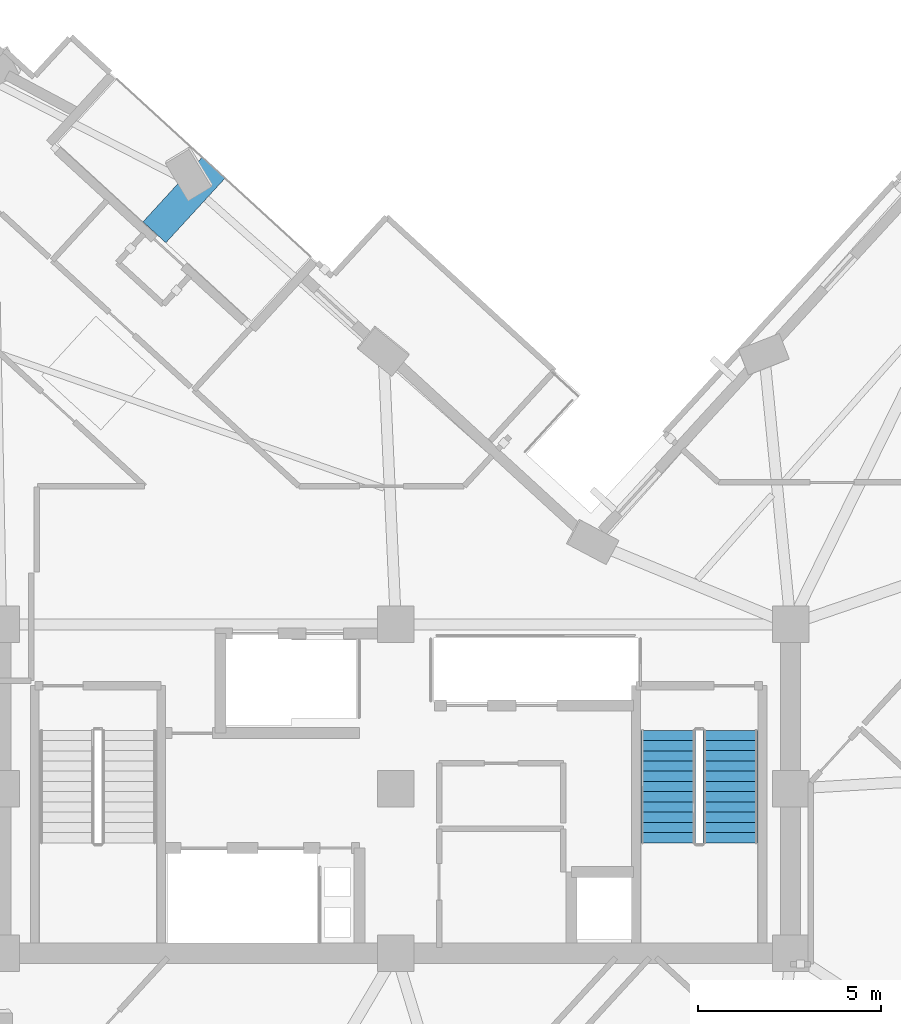
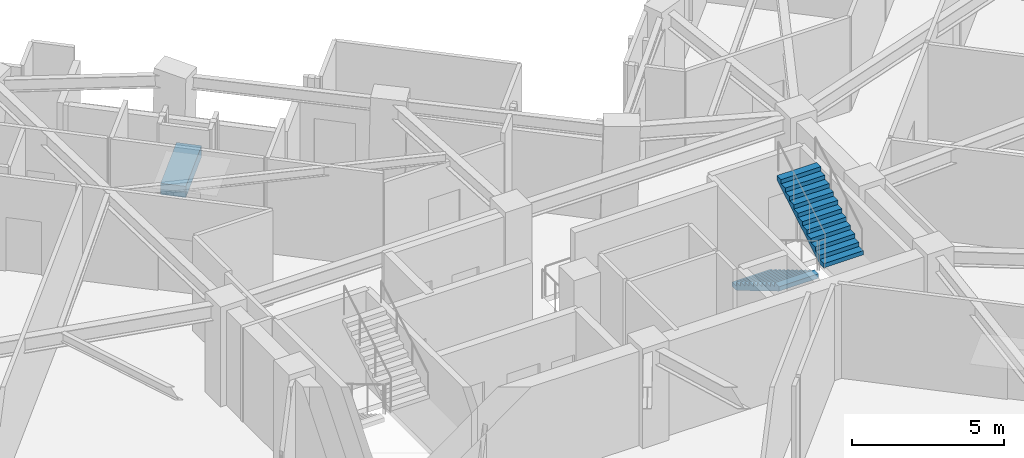
# One storey, part 8 of 12: 2 stair flights, 1 discrete accessory, 1 element without a shape of its own.
"""IFC4 building model written with IfcOpenShell, lengths in metres."""

from ifc_helpers import new_model, si_unit, direction, frame, origin, origin_2d, place, context, subcontext, project, spatial, polyline, rectangle, outline, extrude, material, type_object, element, aggregate, save


model = new_model("IFC4")

# Units and contexts
model_context = context("Model", 3, precision=1e-05, world=origin(), true_north=direction((0.0, 1.0)))
body_context = subcontext(model_context, "Body", "Model", "MODEL_VIEW")
ifc_project = project(units=[si_unit("LENGTHUNIT", "METRE"), si_unit("AREAUNIT", "SQUARE_METRE"), si_unit("VOLUMEUNIT", "CUBIC_METRE"), si_unit("PLANEANGLEUNIT", "RADIAN"), si_unit("MASSUNIT", "GRAM", prefix="KILO")], contexts=[model_context])

# Site, building, storey
site_placement = place(None, origin())
site = spatial("IfcSite", under=ifc_project, at=site_placement, CompositionType="ELEMENT")
building_placement = place(site_placement, origin())
building = spatial("IfcBuilding", under=site, at=building_placement, Name="Gaonmaruhae Medical Tower", CompositionType="ELEMENT")
storey_placement = place(building_placement, frame((0.0, 0.0, 227.199951171875)))
storey = spatial("IfcBuildingStorey", under=building, at=storey_placement, Name="L54", CompositionType="ELEMENT", Elevation=227.199951171875)

# Stair, stair flights
ifc_material_1 = material(Name="Concrete C40/50", Category="concrete")
stair_type = type_object("IfcStairType", Name="ST-T1 Primary Core Escape Dogleg Stair", PredefinedType="TWO_QUARTER_TURN_STAIR", material=ifc_material_1)
stair_placement = place(storey_placement, origin())
stair = element("IfcStair", 1, at=stair_placement, inside=storey, type_object=stair_type, Name="L54 Protected Escape Stair ST-02", PredefinedType="TWO_QUARTER_TURN_STAIR")
stair_flight_type = type_object("IfcStairFlightType", Name="SF-T1 Primary Core Precast Stair Flight", PredefinedType="STRAIGHT", material=ifc_material_1)
stair_flight_1_placement = place(storey_placement, frame((32.25, 13.89990234375, 0.0), z_axis=(0.0, 0.0, 1.0), x_axis=(0.0, -1.0, 0.0)))
stair_flight_1 = element("IfcStairFlight", 2, at=stair_flight_1_placement, type_object=stair_flight_type, Name="ST-02 flight 1", NumberOfRisers=12, NumberOfTreads=11, PredefinedType="STRAIGHT", RiserHeight=0.166666667, TreadLength=0.28, context=body_context, shape_type="SweptSolid", body=[
    extrude(outline(polyline([(0.0, 0.0), (0.0, 0.166748046875), (0.280029296875, 0.166748046875), (0.280029296875, 0.333251953125), (0.56005859375, 0.333251953125), (0.56005859375, 0.5), (0.840087890625, 0.5), (0.840087890625, 0.666748046875), (1.1201171875, 0.666748046875), (1.1201171875, 0.833251953125), (1.39990234375, 0.833251953125), (1.39990234375, 1.0), (1.679931640625, 1.0), (1.679931640625, 1.166748046875), (1.9599609375, 1.166748046875), (1.9599609375, 1.333251953125), (2.239990234375, 1.333251953125), (2.239990234375, 1.5), (2.52001953125, 1.5), (2.52001953125, 1.666748046875), (2.800048828125, 1.666748046875), (2.800048828125, 1.833251953125), (3.080078125, 1.833251953125), (3.080078125, 2.0), (3.080078125, 1.658935546875), (0.29296875, 0.0), (0.0, 0.0)])), frame((0.0, 0.75, 0.0), z_axis=(0.0, -1.0, 0.0), x_axis=(1.0, 0.0, 0.0)), (0.0, 0.0, 1.0), 1.5),
])
stair_flight_2_placement = place(storey_placement, frame((33.949951171875, 10.820068359375, 2.0), z_axis=(0.0, 0.0, 1.0), x_axis=(0.0, 1.0, 0.0)))
stair_flight_2 = element("IfcStairFlight", 3, at=stair_flight_2_placement, type_object=stair_flight_type, Name="ST-02 flight 2", NumberOfRisers=12, NumberOfTreads=11, PredefinedType="STRAIGHT", RiserHeight=0.166666667, TreadLength=0.28, context=body_context, shape_type="SweptSolid", body=[
    extrude(outline(polyline([(0.0, 0.0), (0.0, 0.166748046875), (0.280029296875, 0.166748046875), (0.280029296875, 0.333251953125), (0.56005859375, 0.333251953125), (0.56005859375, 0.5), (0.840087890625, 0.5), (0.840087890625, 0.666748046875), (1.1201171875, 0.666748046875), (1.1201171875, 0.833251953125), (1.39990234375, 0.833251953125), (1.39990234375, 1.0), (1.679931640625, 1.0), (1.679931640625, 1.166748046875), (1.9599609375, 1.166748046875), (1.9599609375, 1.333251953125), (2.239990234375, 1.333251953125), (2.239990234375, 1.5), (2.52001953125, 1.5), (2.52001953125, 1.666748046875), (2.800048828125, 1.666748046875), (2.800048828125, 1.833251953125), (3.080078125, 1.833251953125), (3.080078125, 2.0), (3.080078125, 1.658935546875), (0.29296875, 0.0), (0.0, 0.0)])), frame((0.0, 0.75, 0.0), z_axis=(0.0, -1.0, 0.0), x_axis=(1.0, 0.0, 0.0)), (0.0, 0.0, 1.0), 1.5),
])
aggregate(stair, [stair_flight_1, stair_flight_2])

# Discrete accessory
ifc_material_2 = material(Name="Precast concrete C45/55", Category="concrete")
discrete_accessory_type = type_object("IfcDiscreteAccessoryType", Name="PLN-01 Sky Garden Precast Botanical Planter", PredefinedType="USERDEFINED", material=ifc_material_2)
discrete_accessory_placement = place(storey_placement, frame((19.003662109375, 28.409423828125, 0.0), z_axis=(0.0, 0.0, 1.0), x_axis=(0.675590207616, 0.73727733681, 0.0)))
element("IfcDiscreteAccessory", 4, at=discrete_accessory_placement, inside=storey, type_object=discrete_accessory_type, Name="L54 Sky Garden Botanical Planter SLB-L54-TER", ObjectType="PLANTER", PredefinedType="USERDEFINED", context=body_context, shape_type="SweptSolid", body=[
    extrude(rectangle(XDim=2.39990234375, YDim=0.85009765625, at=origin_2d()), origin(), (0.0, 0.0, 1.0), 0.449951171875),
])

save(model, "model.ifc")
